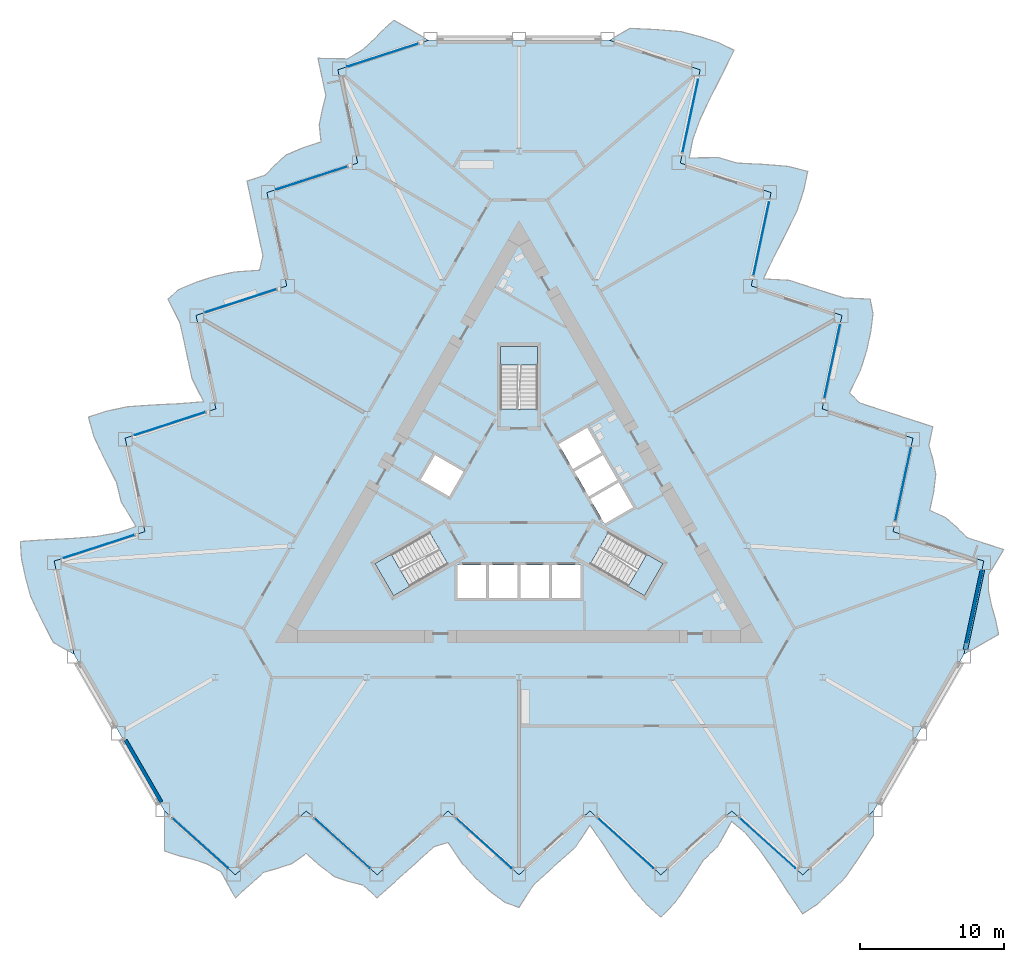
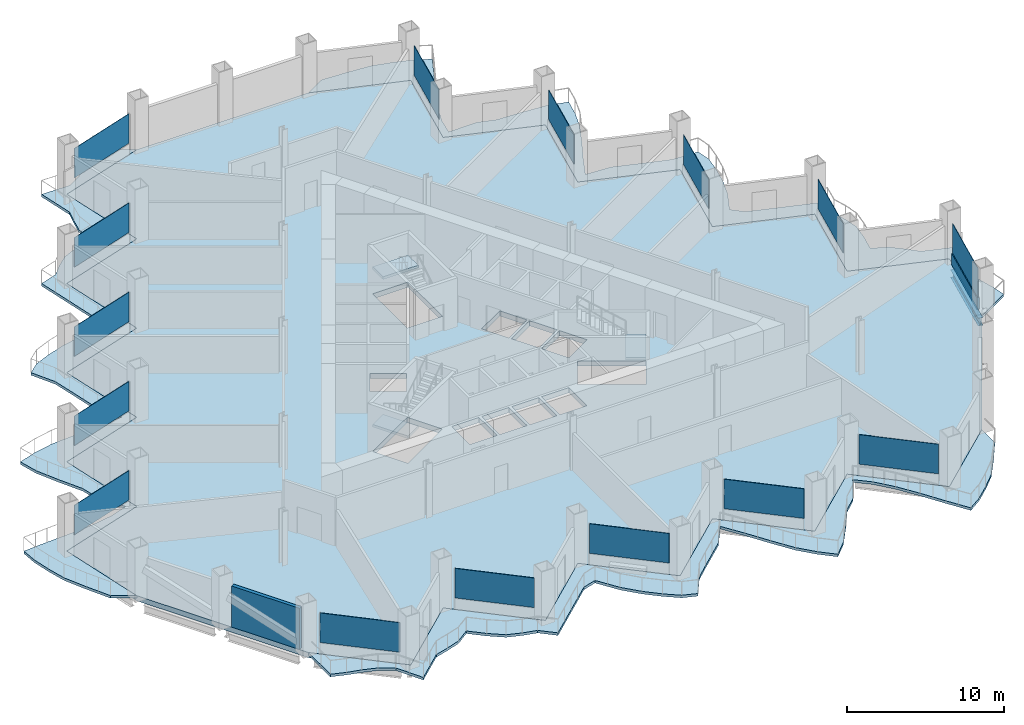
# One storey, part 8 of 21: 15 plates, 7 slabs, 1 beam, 1 member, 1 wall, 18 elements without a shape of their own.
"""IFC4 building model written with IfcOpenShell, lengths in metres."""

from ifc_helpers import new_model, si_unit, direction, frame, frame_2d, origin, origin_2d, place, context, subcontext, project, spatial, polyline, rectangle, i_section, outline, extrude, material, layer, layer_set, material_profile, profile_set, type_object, element, aggregate, save


model = new_model("IFC4")

# Units and contexts
model_context = context("Model", 3, precision=1e-05, world=origin(), true_north=direction((0.0, 1.0)))
body_context = subcontext(model_context, "Body", "Model", "MODEL_VIEW")
ifc_project = project(units=[si_unit("LENGTHUNIT", "METRE"), si_unit("AREAUNIT", "SQUARE_METRE"), si_unit("VOLUMEUNIT", "CUBIC_METRE"), si_unit("PLANEANGLEUNIT", "RADIAN"), si_unit("MASSUNIT", "GRAM", prefix="KILO")], contexts=[model_context])

# Site, building, storey
site_placement = place(None, origin())
site = spatial("IfcSite", under=ifc_project, at=site_placement, CompositionType="ELEMENT")
building_placement = place(site_placement, origin())
building = spatial("IfcBuilding", under=site, at=building_placement, Name="Cormorant Prow Tower", CompositionType="ELEMENT")
storey_placement = place(building_placement, frame((0.0, 0.0, 76.199951171875)))
storey = spatial("IfcBuildingStorey", under=building, at=storey_placement, Name="L16", CompositionType="ELEMENT", Elevation=76.199951171875)

# Curtain wall, member
ifc_material_1 = material(Name="Aluminium 6063-T6", Category="aluminium")
ifc_layer_1 = layer(ifc_material_1, 0.199951171875)
ifc_layer_set_1 = layer_set([ifc_layer_1], Name="Aluminium 6063-T6")
curtain_wall_type = type_object("IfcCurtainWallType", Name="Office unitised curtain wall 200", PredefinedType="NOTDEFINED", material=ifc_layer_set_1)
curtain_wall_1_placement = place(storey_placement, origin())
curtain_wall_1 = element("IfcCurtainWall", 1, at=curtain_wall_1_placement, inside=storey, type_object=curtain_wall_type, Name="Office curtain wall ENE00", PredefinedType="NOTDEFINED")
ifc_material_2 = material(Name="Terracotta", Category="masonry")
ifc_material_profile_1 = material_profile(ifc_material_2, rectangle(XDim=0.159912109375, YDim=0.89990234375, at=origin_2d()), Name="Office terracotta spandrel rail 160x900")
ifc_profile_set_1 = profile_set([ifc_material_profile_1], Name="Terracotta")
member_type = type_object("IfcMemberType", Name="Office terracotta spandrel rail 160x900", PredefinedType="USERDEFINED", material=ifc_profile_set_1)
member_placement = place(storey_placement, frame((31.15869140625, -9.87939453125, 0.449951171875), z_axis=(0.207907213273, 0.978148552455, 0.0), x_axis=(-0.978148552455, 0.207907213273, 0.0)))
member = element("IfcMember", 2, at=member_placement, type_object=member_type, Name="Office spandrel rail ENE00", ObjectType="TRANSOM", PredefinedType="USERDEFINED", context=body_context, shape_type="SweptSolid", body=[
    extrude(rectangle(XDim=0.159912109375, YDim=0.89990234375, at=origin_2d()), origin(), (0.0, 0.0, 1.0), 5.18212890625),
])

# Beam
ifc_material_3 = material(Name="Structural steel ASTM A992 Gr 50", Category="steel")
ifc_material_profile_2 = material_profile(ifc_material_3, i_section(OverallWidth=0.32373046875, OverallDepth=0.611083984375, WebThickness=0.0126953125, FlangeThickness=0.01904296875, at=origin_2d()), Name="W24x104")
ifc_profile_set_2 = profile_set([ifc_material_profile_2], Name="Structural steel ASTM A992 Gr 50")
beam_type = type_object("IfcBeamType", Name="Spandrel beam W24x104", PredefinedType="SPANDREL", material=ifc_profile_set_2)
beam_placement = place(storey_placement, frame((31.10400390625, -10.28466796875, -0.70556640625), z_axis=(0.207900376723, 0.97815000555, 0.0), x_axis=(-0.97815000555, 0.207900376723, 0.0)))
element("IfcBeam", 3, at=beam_placement, inside=storey, type_object=beam_type, Name="Spandrel beam SB1 ENE00-ENE01 L16", PredefinedType="SPANDREL", context=body_context, shape_type="SweptSolid", body=[
    extrude(i_section(OverallWidth=0.32373046875, OverallDepth=0.611083984375, WebThickness=0.0126953125, FlangeThickness=0.01904296875, at=origin_2d()), origin(), (0.0, 0.0, 1.0), 5.6826171875),
])

# Slabs
ifc_material_4 = material(Name="Concrete C40/50", Category="concrete")
ifc_layer_2 = layer(ifc_material_4, 0.199951171875)
ifc_layer_set_2 = layer_set([ifc_layer_2], Name="Concrete C40/50")
slab_type_1 = type_object("IfcSlabType", Name="Balcony slab 200", PredefinedType="FLOOR", material=ifc_layer_set_2)
slab_1_placement = place(storey_placement, frame((0.0, 0.0, -0.199951171875)))
element("IfcSlab", 4, at=slab_1_placement, inside=storey, type_object=slab_type_1, Name="Balcony slab S L16", PredefinedType="FLOOR", context=body_context, shape_type="SweptSolid", body=[
    extrude(outline(polyline([(-24.7021484375, -21.533935546875), (-24.7021484375, -24.31787109375), (-23.714111328125, -24.64892578125), (-22.72607421875, -24.893310546875), (-21.73779296875, -25.222900390625), (-20.749755859375, -25.787109375), (-19.76171875, -27.582275390625), (-18.773681640625, -26.692626953125), (-17.78564453125, -25.802978515625), (-16.79736328125, -25.522705078125), (-15.809326171875, -25.19580078125), (-14.8212890625, -24.48388671875), (-13.833251953125, -25.37353515625), (-12.84521484375, -26.112548828125), (-11.85693359375, -26.449462890625), (-10.868896484375, -26.69384765625), (-9.880859375, -27.582275390625), (-8.892822265625, -26.692626953125), (-7.90478515625, -25.802978515625), (-6.91650390625, -24.913330078125), (-5.928466796875, -24.023681640625), (-4.9404296875, -23.721923828125), (-3.952392578125, -25.179931640625), (-2.96435546875, -26.26318359375), (-1.97607421875, -27.15283203125), (-0.988037109375, -27.906982421875), (0.0, -28.249755859375), (0.988037109375, -26.71533203125), (1.97607421875, -25.802978515625), (2.96435546875, -24.913330078125), (3.952392578125, -24.023681640625), (4.9404296875, -22.511962890625), (5.928466796875, -23.945556640625), (6.91650390625, -25.479736328125), (7.90478515625, -26.943115234375), (8.892822265625, -28.042724609375), (9.880859375, -28.932373046875), (10.868896484375, -27.921875), (11.85693359375, -26.491455078125), (12.84521484375, -24.95751953125), (13.833251953125, -24.023681640625), (14.8212890625, -22.24755859375), (15.809326171875, -23.098876953125), (16.79736328125, -24.276611328125), (17.78564453125, -25.7041015625), (18.773681640625, -27.23779296875), (19.76171875, -28.7060546875), (20.749755859375, -28.042724609375), (21.73779296875, -27.15283203125), (22.72607421875, -26.156982421875), (23.714111328125, -24.73291015625), (24.7021484375, -23.19970703125), (24.7021484375, -21.533935546875), (23.714111328125, -22.423583984375), (22.72607421875, -23.313232421875), (21.73779296875, -24.202880859375), (20.749755859375, -25.092529296875), (19.76171875, -25.982421875), (18.773681640625, -25.092529296875), (17.78564453125, -24.202880859375), (16.79736328125, -23.313232421875), (15.809326171875, -22.423583984375), (14.8212890625, -21.533935546875), (13.833251953125, -22.423583984375), (12.84521484375, -23.313232421875), (11.85693359375, -24.202880859375), (10.868896484375, -25.092529296875), (9.880859375, -25.982421875), (8.892822265625, -25.092529296875), (7.90478515625, -24.202880859375), (6.91650390625, -23.313232421875), (5.928466796875, -22.423583984375), (4.9404296875, -21.533935546875), (3.952392578125, -22.423583984375), (2.96435546875, -23.313232421875), (1.97607421875, -24.202880859375), (0.988037109375, -25.092529296875), (0.0, -25.982421875), (-0.988037109375, -25.092529296875), (-1.97607421875, -24.202880859375), (-2.96435546875, -23.313232421875), (-3.952392578125, -22.423583984375), (-4.9404296875, -21.533935546875), (-5.928466796875, -22.423583984375), (-6.91650390625, -23.313232421875), (-7.90478515625, -24.202880859375), (-8.892822265625, -25.092529296875), (-9.880859375, -25.982421875), (-10.868896484375, -25.092529296875), (-11.85693359375, -24.202880859375), (-12.84521484375, -23.313232421875), (-13.833251953125, -22.423583984375), (-14.8212890625, -21.533935546875), (-15.809326171875, -22.423583984375), (-16.79736328125, -23.313232421875), (-17.78564453125, -24.202880859375), (-18.773681640625, -25.092529296875), (-19.76171875, -25.982421875), (-20.749755859375, -25.092529296875), (-21.73779296875, -24.202880859375), (-22.72607421875, -23.313232421875), (-23.714111328125, -22.423583984375), (-24.7021484375, -21.533935546875)])), origin(), (0.0, 0.0, 1.0), 0.199951171875),
])
slab_2_placement = place(storey_placement, frame((0.0, 0.0, -0.199951171875)))
element("IfcSlab", 5, at=slab_2_placement, inside=storey, type_object=slab_type_1, Name="Balcony slab ENE L16", PredefinedType="FLOOR", context=body_context, shape_type="SweptSolid", body=[
    extrude(outline(polyline([(31.0, -10.625732421875), (33.410888671875, -9.23388671875), (33.20361328125, -8.212646484375), (32.921142578125, -7.234619140625), (32.712646484375, -6.214111328125), (32.707275390625, -5.076416015625), (33.767822265625, -3.322998046875), (32.50341796875, -2.912109375), (31.23876953125, -2.501220703125), (30.501953125, -1.78564453125), (29.724853515625, -1.093505859375), (28.6142578125, -0.59375), (28.890869140625, 0.706787109375), (29.03662109375, 1.93212890625), (28.83447265625, 2.956298828125), (28.552001953125, 3.93408203125), (28.827392578125, 5.234130859375), (27.56298828125, 5.64501953125), (26.29833984375, 6.055908203125), (25.033935546875, 6.466796875), (23.769287109375, 6.87744140625), (23.013916015625, 7.58251953125), (23.782470703125, 9.1669921875), (24.226806640625, 10.564453125), (24.503173828125, 11.864990234375), (24.662353515625, 13.097900390625), (24.465087890625, 14.125), (22.64208984375, 14.21337890625), (21.35791015625, 14.61279296875), (20.093505859375, 15.023681640625), (18.828857421875, 15.4345703125), (17.02587890625, 15.53466796875), (17.773193359375, 17.10693359375), (18.60791015625, 18.72998046875), (19.381103515625, 20.317138671875), (19.839111328125, 21.72265625), (20.11572265625, 23.023193359375), (18.74658203125, 23.373779296875), (17.013671875, 23.51416015625), (15.191162109375, 23.60302734375), (13.888427734375, 23.99169921875), (11.856201171875, 23.95947265625), (12.099609375, 25.24072265625), (12.62548828125, 26.685302734375), (13.36767578125, 28.2548828125), (14.20166015625, 29.877197265625), (14.979248046875, 31.46728515625), (13.91064453125, 31.9912109375), (12.646240234375, 32.402099609375), (11.289794921875, 32.759765625), (9.562255859375, 32.903564453125), (7.740478515625, 32.992431640625), (6.2978515625, 32.15966796875), (7.562255859375, 31.748779296875), (8.826904296875, 31.337890625), (10.09130859375, 30.927001953125), (11.35595703125, 30.51611328125), (12.620361328125, 30.105224609375), (12.343994140625, 28.8046875), (12.067626953125, 27.504150390625), (11.791259765625, 26.20361328125), (11.5146484375, 24.903076171875), (11.23828125, 23.6025390625), (12.502685546875, 23.191650390625), (13.767333984375, 22.78076171875), (15.03173828125, 22.369873046875), (16.29638671875, 21.958984375), (17.560791015625, 21.54833984375), (17.284423828125, 20.247802734375), (17.008056640625, 18.947021484375), (16.731689453125, 17.646484375), (16.455078125, 16.345947265625), (16.1787109375, 15.04541015625), (17.443115234375, 14.634521484375), (18.707763671875, 14.223876953125), (19.97216796875, 13.81298828125), (21.23681640625, 13.402099609375), (22.501220703125, 12.9912109375), (22.224853515625, 11.690673828125), (21.948486328125, 10.39013671875), (21.672119140625, 9.089599609375), (21.3955078125, 7.7890625), (21.119140625, 6.488525390625), (22.383544921875, 6.07763671875), (23.648193359375, 5.666748046875), (24.91259765625, 5.255859375), (26.17724609375, 4.844970703125), (27.441650390625, 4.43408203125), (27.165283203125, 3.133544921875), (26.888916015625, 1.8330078125), (26.612548828125, 0.532470703125), (26.3359375, -0.76806640625), (26.0595703125, -2.068603515625), (27.323974609375, -2.4794921875), (28.588623046875, -2.890380859375), (29.85302734375, -3.30126953125), (31.11767578125, -3.712158203125), (32.382080078125, -4.123046875), (32.105712890625, -5.423583984375), (31.829345703125, -6.72412109375), (31.552978515625, -8.024658203125), (31.2763671875, -9.3251953125), (31.0, -10.625732421875)])), origin(), (0.0, 0.0, 1.0), 0.199951171875),
])
slab_3_placement = place(storey_placement, frame((0.0, 0.0, -0.199951171875)))
element("IfcSlab", 6, at=slab_3_placement, inside=storey, type_object=slab_type_1, Name="Balcony slab WNW L16", PredefinedType="FLOOR", context=body_context, shape_type="SweptSolid", body=[
    extrude(outline(polyline([(-6.2978515625, 32.15966796875), (-8.708740234375, 33.551513671875), (-9.489501953125, 32.861328125), (-10.1953125, 32.1279296875), (-10.974853515625, 31.43701171875), (-11.95751953125, 30.863525390625), (-14.006103515625, 30.9052734375), (-13.729736328125, 29.604736328125), (-13.453125, 28.30419921875), (-13.70458984375, 27.308349609375), (-13.91552734375, 26.289306640625), (-13.79296875, 25.07763671875), (-15.0576171875, 24.666748046875), (-16.191650390625, 24.180419921875), (-16.977294921875, 23.4931640625), (-17.68310546875, 22.759765625), (-18.946533203125, 22.34814453125), (-18.670166015625, 21.047607421875), (-18.3935546875, 19.7470703125), (-18.1171875, 18.446533203125), (-17.8408203125, 17.14599609375), (-18.073486328125, 16.139404296875), (-19.830322265625, 16.0126953125), (-21.262451171875, 15.69873046875), (-22.527099609375, 15.287841796875), (-23.674072265625, 14.809326171875), (-24.465087890625, 14.125), (-23.630126953125, 12.501953125), (-23.333984375, 11.18994140625), (-23.0576171875, 9.889404296875), (-22.78125, 8.5888671875), (-21.96630859375, 6.9775390625), (-23.70166015625, 6.838623046875), (-25.5244140625, 6.75), (-27.28564453125, 6.6259765625), (-28.73193359375, 6.31982421875), (-29.99658203125, 5.9091796875), (-29.615478515625, 4.548095703125), (-28.870849609375, 2.977294921875), (-28.036376953125, 1.3544921875), (-27.7216796875, 0.031982421875), (-26.677490234375, -1.7119140625), (-27.908935546875, -2.141845703125), (-29.4228515625, -2.40869140625), (-31.153076171875, -2.55078125), (-32.975341796875, -2.6396484375), (-34.740966796875, -2.76123046875), (-34.66064453125, -3.948486328125), (-34.384033203125, -5.2490234375), (-34.015625, -6.602783203125), (-33.2763671875, -8.170654296875), (-32.442626953125, -9.79296875), (-31.0, -10.625732421875), (-31.2763671875, -9.3251953125), (-31.552978515625, -8.024658203125), (-31.829345703125, -6.72412109375), (-32.105712890625, -5.423583984375), (-32.382080078125, -4.123046875), (-31.11767578125, -3.712158203125), (-29.85302734375, -3.30126953125), (-28.588623046875, -2.890380859375), (-27.323974609375, -2.4794921875), (-26.0595703125, -2.068603515625), (-26.3359375, -0.76806640625), (-26.612548828125, 0.532470703125), (-26.888916015625, 1.8330078125), (-27.165283203125, 3.133544921875), (-27.441650390625, 4.43408203125), (-26.17724609375, 4.844970703125), (-24.91259765625, 5.255859375), (-23.648193359375, 5.666748046875), (-22.383544921875, 6.07763671875), (-21.119140625, 6.488525390625), (-21.3955078125, 7.7890625), (-21.672119140625, 9.089599609375), (-21.948486328125, 10.39013671875), (-22.224853515625, 11.690673828125), (-22.501220703125, 12.9912109375), (-21.23681640625, 13.402099609375), (-19.97216796875, 13.81298828125), (-18.707763671875, 14.223876953125), (-17.443115234375, 14.634521484375), (-16.1787109375, 15.04541015625), (-16.455078125, 16.345947265625), (-16.731689453125, 17.646484375), (-17.008056640625, 18.947021484375), (-17.284423828125, 20.247802734375), (-17.560791015625, 21.54833984375), (-16.29638671875, 21.958984375), (-15.03173828125, 22.369873046875), (-13.767333984375, 22.78076171875), (-12.502685546875, 23.191650390625), (-11.23828125, 23.6025390625), (-11.5146484375, 24.903076171875), (-11.791259765625, 26.20361328125), (-12.067626953125, 27.504150390625), (-12.343994140625, 28.8046875), (-12.620361328125, 30.105224609375), (-11.35595703125, 30.51611328125), (-10.09130859375, 30.927001953125), (-8.826904296875, 31.337890625), (-7.562255859375, 31.748779296875), (-6.2978515625, 32.15966796875)])), origin(), (0.0, 0.0, 1.0), 0.199951171875),
])

# Curtain wall, plate
curtain_wall_2_placement = place(storey_placement, origin())
curtain_wall_2 = element("IfcCurtainWall", 7, at=curtain_wall_2_placement, inside=storey, type_object=curtain_wall_type, Name="Office curtain wall S00", PredefinedType="NOTDEFINED")
ifc_material_5 = material(Name="Clear glass", Category="glass")
ifc_layer_3 = layer(ifc_material_5, 0.031982421875)
ifc_layer_set_3 = layer_set([ifc_layer_3], Name="Clear glass")
plate_type = type_object("IfcPlateType", Name="Office glass panel 32", PredefinedType="CURTAIN_PANEL", material=ifc_layer_set_3)
plate_1_placement = place(storey_placement, frame((-22.209716796875, -23.778076171875, 0.89990234375), z_axis=(0.0, 0.0, 1.0), x_axis=(0.743144814546, -0.669130618499, 0.0)))
plate_1 = element("IfcPlate", 8, at=plate_1_placement, type_object=plate_type, Name="Office glass panel S00", PredefinedType="CURTAIN_PANEL", context=body_context, shape_type="SweptSolid", body=[
    extrude(rectangle(XDim=5.18212890625, YDim=0.031982421875, at=origin_2d()), origin(), (0.0, 0.0, 1.0), 2.288818359375),
])
aggregate(curtain_wall_2, [plate_1])

curtain_wall_3_placement = place(storey_placement, origin())
curtain_wall_3 = element("IfcCurtainWall", 9, at=curtain_wall_3_placement, inside=storey, type_object=curtain_wall_type, Name="Office curtain wall S02", PredefinedType="NOTDEFINED")
plate_2_placement = place(storey_placement, frame((-12.328857421875, -23.778076171875, 0.89990234375), z_axis=(0.0, 0.0, 1.0), x_axis=(0.743144814546, -0.669130618499, 0.0)))
plate_2 = element("IfcPlate", 10, at=plate_2_placement, type_object=plate_type, Name="Office glass panel S02", PredefinedType="CURTAIN_PANEL", context=body_context, shape_type="SweptSolid", body=[
    extrude(rectangle(XDim=5.18212890625, YDim=0.031982421875, at=origin_2d()), origin(), (0.0, 0.0, 1.0), 2.288818359375),
])
aggregate(curtain_wall_3, [plate_2])

curtain_wall_4_placement = place(storey_placement, origin())
curtain_wall_4 = element("IfcCurtainWall", 11, at=curtain_wall_4_placement, inside=storey, type_object=curtain_wall_type, Name="Office curtain wall S04", PredefinedType="NOTDEFINED")
plate_3_placement = place(storey_placement, frame((-2.447998046875, -23.778076171875, 0.89990234375), z_axis=(0.0, 0.0, 1.0), x_axis=(0.743144814546, -0.669130618499, 0.0)))
plate_3 = element("IfcPlate", 12, at=plate_3_placement, type_object=plate_type, Name="Office glass panel S04", PredefinedType="CURTAIN_PANEL", context=body_context, shape_type="SweptSolid", body=[
    extrude(rectangle(XDim=5.18212890625, YDim=0.031982421875, at=origin_2d()), origin(), (0.0, 0.0, 1.0), 2.288818359375),
])
aggregate(curtain_wall_4, [plate_3])

curtain_wall_5_placement = place(storey_placement, origin())
curtain_wall_5 = element("IfcCurtainWall", 13, at=curtain_wall_5_placement, inside=storey, type_object=curtain_wall_type, Name="Office curtain wall S06", PredefinedType="NOTDEFINED")
plate_4_placement = place(storey_placement, frame((7.432861328125, -23.778076171875, 0.89990234375), z_axis=(0.0, 0.0, 1.0), x_axis=(0.743144881885, -0.669130543712, 0.0)))
plate_4 = element("IfcPlate", 14, at=plate_4_placement, type_object=plate_type, Name="Office glass panel S06", PredefinedType="CURTAIN_PANEL", context=body_context, shape_type="SweptSolid", body=[
    extrude(rectangle(XDim=5.18212890625, YDim=0.031982421875, at=origin_2d()), origin(), (0.0, 0.0, 1.0), 2.288818359375),
])
aggregate(curtain_wall_5, [plate_4])

curtain_wall_6_placement = place(storey_placement, origin())
curtain_wall_6 = element("IfcCurtainWall", 15, at=curtain_wall_6_placement, inside=storey, type_object=curtain_wall_type, Name="Office curtain wall S08", PredefinedType="NOTDEFINED")
plate_5_placement = place(storey_placement, frame((17.313720703125, -23.778076171875, 0.89990234375), z_axis=(0.0, 0.0, 1.0), x_axis=(0.743144881885, -0.669130543712, 0.0)))
plate_5 = element("IfcPlate", 16, at=plate_5_placement, type_object=plate_type, Name="Office glass panel S08", PredefinedType="CURTAIN_PANEL", context=body_context, shape_type="SweptSolid", body=[
    extrude(rectangle(XDim=5.18212890625, YDim=0.031982421875, at=origin_2d()), origin(), (0.0, 0.0, 1.0), 2.288818359375),
])
aggregate(curtain_wall_6, [plate_5])

# Plate
plate_6_placement = place(storey_placement, frame((31.697265625, -7.344970703125, 0.89990234375), z_axis=(0.0, 0.0, 1.0), x_axis=(0.207911722401, 0.978147594021, 0.0)))
plate_6 = element("IfcPlate", 17, at=plate_6_placement, type_object=plate_type, Name="Office glass panel ENE00", PredefinedType="CURTAIN_PANEL", context=body_context, shape_type="SweptSolid", body=[
    extrude(rectangle(XDim=5.18212890625, YDim=0.031982421875, at=origin_2d()), origin(), (0.0, 0.0, 1.0), 2.288818359375),
])

aggregate(curtain_wall_1, [member, plate_6])

# Curtain wall, plate
curtain_wall_7_placement = place(storey_placement, origin())
curtain_wall_7 = element("IfcCurtainWall", 18, at=curtain_wall_7_placement, inside=storey, type_object=curtain_wall_type, Name="Office curtain wall ENE02", PredefinedType="NOTDEFINED")
plate_7_placement = place(storey_placement, frame((26.7568359375, 1.212158203125, 0.89990234375), z_axis=(0.0, 0.0, 1.0), x_axis=(0.207911578485, 0.978147624611, 0.0)))
plate_7 = element("IfcPlate", 19, at=plate_7_placement, type_object=plate_type, Name="Office glass panel ENE02", PredefinedType="CURTAIN_PANEL", context=body_context, shape_type="SweptSolid", body=[
    extrude(rectangle(XDim=5.18212890625, YDim=0.031982421875, at=origin_2d()), origin(), (0.0, 0.0, 1.0), 2.288818359375),
])
aggregate(curtain_wall_7, [plate_7])

curtain_wall_8_placement = place(storey_placement, origin())
curtain_wall_8 = element("IfcCurtainWall", 20, at=curtain_wall_8_placement, inside=storey, type_object=curtain_wall_type, Name="Office curtain wall ENE04", PredefinedType="NOTDEFINED")
plate_8_placement = place(storey_placement, frame((21.81640625, 9.76904296875, 0.89990234375), z_axis=(0.0, 0.0, 1.0), x_axis=(0.207911722401, 0.978147594021, 0.0)))
plate_8 = element("IfcPlate", 21, at=plate_8_placement, type_object=plate_type, Name="Office glass panel ENE04", PredefinedType="CURTAIN_PANEL", context=body_context, shape_type="SweptSolid", body=[
    extrude(rectangle(XDim=5.18212890625, YDim=0.031982421875, at=origin_2d()), origin(), (0.0, 0.0, 1.0), 2.288818359375),
])
aggregate(curtain_wall_8, [plate_8])

curtain_wall_9_placement = place(storey_placement, origin())
curtain_wall_9 = element("IfcCurtainWall", 22, at=curtain_wall_9_placement, inside=storey, type_object=curtain_wall_type, Name="Office curtain wall ENE06", PredefinedType="NOTDEFINED")
plate_9_placement = place(storey_placement, frame((16.8759765625, 18.326171875, 0.89990234375), z_axis=(0.0, 0.0, 1.0), x_axis=(0.207911722401, 0.978147594021, 0.0)))
plate_9 = element("IfcPlate", 23, at=plate_9_placement, type_object=plate_type, Name="Office glass panel ENE06", PredefinedType="CURTAIN_PANEL", context=body_context, shape_type="SweptSolid", body=[
    extrude(rectangle(XDim=5.18212890625, YDim=0.031982421875, at=origin_2d()), origin(), (0.0, 0.0, 1.0), 2.288818359375),
])
aggregate(curtain_wall_9, [plate_9])

curtain_wall_10_placement = place(storey_placement, origin())
curtain_wall_10 = element("IfcCurtainWall", 24, at=curtain_wall_10_placement, inside=storey, type_object=curtain_wall_type, Name="Office curtain wall ENE08", PredefinedType="NOTDEFINED")
plate_10_placement = place(storey_placement, frame((11.935546875, 26.88330078125, 0.89990234375), z_axis=(0.0, 0.0, 1.0), x_axis=(0.207911722401, 0.978147594021, 0.0)))
plate_10 = element("IfcPlate", 25, at=plate_10_placement, type_object=plate_type, Name="Office glass panel ENE08", PredefinedType="CURTAIN_PANEL", context=body_context, shape_type="SweptSolid", body=[
    extrude(rectangle(XDim=5.18212890625, YDim=0.031982421875, at=origin_2d()), origin(), (0.0, 0.0, 1.0), 2.288818359375),
])
aggregate(curtain_wall_10, [plate_10])

curtain_wall_11_placement = place(storey_placement, origin())
curtain_wall_11 = element("IfcCurtainWall", 26, at=curtain_wall_11_placement, inside=storey, type_object=curtain_wall_type, Name="Office curtain wall WNW00", PredefinedType="NOTDEFINED")
plate_11_placement = place(storey_placement, frame((-9.48779296875, 31.123291015625, 0.89990234375), z_axis=(0.0, 0.0, 1.0), x_axis=(-0.951056501658, -0.309017039425, 0.0)))
plate_11 = element("IfcPlate", 27, at=plate_11_placement, type_object=plate_type, Name="Office glass panel WNW00", PredefinedType="CURTAIN_PANEL", context=body_context, shape_type="SweptSolid", body=[
    extrude(rectangle(XDim=5.18212890625, YDim=0.031982421875, at=origin_2d()), origin(), (0.0, 0.0, 1.0), 2.288818359375),
])
aggregate(curtain_wall_11, [plate_11])

curtain_wall_12_placement = place(storey_placement, origin())
curtain_wall_12 = element("IfcCurtainWall", 28, at=curtain_wall_12_placement, inside=storey, type_object=curtain_wall_type, Name="Office curtain wall WNW02", PredefinedType="NOTDEFINED")
plate_12_placement = place(storey_placement, frame((-14.42822265625, 22.566162109375, 0.89990234375), z_axis=(0.0, 0.0, 1.0), x_axis=(-0.951056560224, -0.309016859176, 0.0)))
plate_12 = element("IfcPlate", 29, at=plate_12_placement, type_object=plate_type, Name="Office glass panel WNW02", PredefinedType="CURTAIN_PANEL", context=body_context, shape_type="SweptSolid", body=[
    extrude(rectangle(XDim=5.18212890625, YDim=0.031982421875, at=origin_2d()), origin(), (0.0, 0.0, 1.0), 2.288818359375),
])
aggregate(curtain_wall_12, [plate_12])

curtain_wall_13_placement = place(storey_placement, origin())
curtain_wall_13 = element("IfcCurtainWall", 30, at=curtain_wall_13_placement, inside=storey, type_object=curtain_wall_type, Name="Office curtain wall WNW04", PredefinedType="NOTDEFINED")
plate_13_placement = place(storey_placement, frame((-19.36865234375, 14.009033203125, 0.89990234375), z_axis=(0.0, 0.0, 1.0), x_axis=(-0.951056501658, -0.309017039425, 0.0)))
plate_13 = element("IfcPlate", 31, at=plate_13_placement, type_object=plate_type, Name="Office glass panel WNW04", PredefinedType="CURTAIN_PANEL", context=body_context, shape_type="SweptSolid", body=[
    extrude(rectangle(XDim=5.18212890625, YDim=0.031982421875, at=origin_2d()), origin(), (0.0, 0.0, 1.0), 2.288818359375),
])
aggregate(curtain_wall_13, [plate_13])

curtain_wall_14_placement = place(storey_placement, origin())
curtain_wall_14 = element("IfcCurtainWall", 32, at=curtain_wall_14_placement, inside=storey, type_object=curtain_wall_type, Name="Office curtain wall WNW06", PredefinedType="NOTDEFINED")
plate_14_placement = place(storey_placement, frame((-24.30908203125, 5.451904296875, 0.89990234375), z_axis=(0.0, 0.0, 1.0), x_axis=(-0.951056501658, -0.309017039425, 0.0)))
plate_14 = element("IfcPlate", 33, at=plate_14_placement, type_object=plate_type, Name="Office glass panel WNW06", PredefinedType="CURTAIN_PANEL", context=body_context, shape_type="SweptSolid", body=[
    extrude(rectangle(XDim=5.18212890625, YDim=0.031982421875, at=origin_2d()), origin(), (0.0, 0.0, 1.0), 2.288818359375),
])
aggregate(curtain_wall_14, [plate_14])

curtain_wall_15_placement = place(storey_placement, origin())
curtain_wall_15 = element("IfcCurtainWall", 34, at=curtain_wall_15_placement, inside=storey, type_object=curtain_wall_type, Name="Office curtain wall WNW08", PredefinedType="NOTDEFINED")
plate_15_placement = place(storey_placement, frame((-29.24951171875, -3.105224609375, 0.89990234375), z_axis=(0.0, 0.0, 1.0), x_axis=(-0.951056545862, -0.309016903379, 0.0)))
plate_15 = element("IfcPlate", 35, at=plate_15_placement, type_object=plate_type, Name="Office glass panel WNW08", PredefinedType="CURTAIN_PANEL", context=body_context, shape_type="SweptSolid", body=[
    extrude(rectangle(XDim=5.18212890625, YDim=0.031982421875, at=origin_2d()), origin(), (0.0, 0.0, 1.0), 2.288818359375),
])
aggregate(curtain_wall_15, [plate_15])

# Slab
ifc_material_6 = material(Name="Concrete C40/50", Category="concrete")
ifc_layer_4 = layer(ifc_material_6, 0.39990234375)
ifc_layer_set_4 = layer_set([ifc_layer_4], Name="Concrete C40/50")
slab_type_2 = type_object("IfcSlabType", Name="Post-tensioned flat slab 400", PredefinedType="FLOOR", material=ifc_layer_set_4)
slab_4_placement = place(storey_placement, frame((0.0, 0.0, -0.39990234375)))
element("IfcSlab", 36, at=slab_4_placement, inside=storey, type_object=slab_type_2, Name="Floor slab L16", PredefinedType="FLOOR", context=body_context, shape_type="SweptSolid", body=[
    extrude(outline(polyline([(-12.620361328125, 30.105224609375), (-11.23828125, 23.6025390625), (-17.560791015625, 21.54833984375), (-16.1787109375, 15.04541015625), (-22.501220703125, 12.9912109375), (-21.119140625, 6.488525390625), (-27.441650390625, 4.43408203125), (-26.0595703125, -2.068603515625), (-32.382080078125, -4.123046875), (-31.0, -10.625732421875), (-27.85107421875, -16.079833984375), (-24.7021484375, -21.533935546875), (-19.76171875, -25.982421875), (-14.8212890625, -21.533935546875), (-9.880859375, -25.982421875), (-4.9404296875, -21.533935546875), (0.0, -25.982421875), (4.9404296875, -21.533935546875), (9.880859375, -25.982421875), (14.8212890625, -21.533935546875), (19.76171875, -25.982421875), (24.7021484375, -21.533935546875), (27.85107421875, -16.079833984375), (31.0, -10.625732421875), (32.382080078125, -4.123046875), (26.0595703125, -2.068603515625), (27.441650390625, 4.43408203125), (21.119140625, 6.488525390625), (22.501220703125, 12.9912109375), (16.1787109375, 15.04541015625), (17.560791015625, 21.54833984375), (11.23828125, 23.6025390625), (12.620361328125, 30.105224609375), (6.2978515625, 32.15966796875), (0.0, 32.15966796875), (-6.2978515625, 32.15966796875), (-12.620361328125, 30.105224609375)]), holes=[polyline([(-4.300048828125, -6.699951171875), (-4.300048828125, -4.39990234375), (-2.300048828125, -4.39990234375), (-2.300048828125, -6.699951171875), (-4.300048828125, -6.699951171875)]), polyline([(-2.10009765625, -4.39990234375), (-0.10009765625, -4.39990234375), (-0.10009765625, -6.699951171875), (-2.10009765625, -6.699951171875), (-2.10009765625, -4.39990234375)]), polyline([(2.10009765625, -4.39990234375), (2.10009765625, -6.699951171875), (0.10009765625, -6.699951171875), (0.10009765625, -4.39990234375), (2.10009765625, -4.39990234375)]), polyline([(4.300048828125, -6.699951171875), (2.300048828125, -6.699951171875), (2.300048828125, -4.39990234375), (4.300048828125, -4.39990234375), (4.300048828125, -6.699951171875)]), polyline([(7.952392578125, -0.373779296875), (5.96044921875, -1.52392578125), (4.96044921875, 0.2080078125), (6.952392578125, 1.358154296875), (7.952392578125, -0.373779296875)]), polyline([(4.860595703125, 0.38134765625), (3.860595703125, 2.11328125), (5.852294921875, 3.263427734375), (6.852294921875, 1.53125), (4.860595703125, 0.38134765625)]), polyline([(2.760498046875, 4.018798828125), (4.75244140625, 5.168701171875), (5.75244140625, 3.4365234375), (3.760498046875, 2.28662109375), (2.760498046875, 4.018798828125)]), polyline([(-6.852294921875, 1.53125), (-5.852294921875, 3.263427734375), (-3.860595703125, 2.11328125), (-4.860595703125, 0.38134765625), (-6.852294921875, 1.53125)]), polyline([(-4.947509765625, -4.3505859375), (-8.738037109375, -6.5390625), (-10.031982421875, -4.2978515625), (-6.241455078125, -2.109375), (-4.947509765625, -4.3505859375)]), polyline([(10.031982421875, -4.2978515625), (8.738037109375, -6.5390625), (4.947509765625, -4.3505859375), (6.241455078125, -2.109375), (10.031982421875, -4.2978515625)]), polyline([(1.2939453125, 10.8369140625), (1.2939453125, 6.459716796875), (-1.2939453125, 6.459716796875), (-1.2939453125, 10.8369140625), (1.2939453125, 10.8369140625)])]), origin(), (0.0, 0.0, 1.0), 0.39990234375),
])

# Stair, slab
ifc_material_7 = material(Name="Exit stair 24 risers")
stair_type = type_object("IfcStairType", Name="Exit stair 24 risers", PredefinedType="HALF_TURN_STAIR", material=ifc_material_7)
stair_1_placement = place(storey_placement, origin())
stair_1 = element("IfcStair", 37, at=stair_1_placement, inside=storey, type_object=stair_type, Name="L16 Exit stair ST1", PredefinedType="HALF_TURN_STAIR")
ifc_material_8 = material(Name="Concrete 5000 psi", Category="concrete")
ifc_layer_5 = layer(ifc_material_8, 0.199951171875)
ifc_layer_set_5 = layer_set([ifc_layer_5], Name="Concrete 5000 psi")
slab_type_3 = type_object("IfcSlabType", Name="Stair landing 200", PredefinedType="LANDING", material=ifc_layer_set_5)
slab_5_placement = place(storey_placement, frame((0.0, 0.0, 1.900146484375)))
slab_5 = element("IfcSlab", 38, at=slab_5_placement, type_object=slab_type_3, Name="ST1 landing 1", PredefinedType="LANDING", context=body_context, shape_type="SweptSolid", body=[
    extrude(outline(polyline([(-8.90185546875, -3.645263671875), (-10.031982421875, -4.2978515625), (-8.738037109375, -6.5390625), (-7.60791015625, -5.886474609375), (-8.90185546875, -3.645263671875)])), origin(), (0.0, 0.0, 1.0), 0.199951171875),
])
aggregate(stair_1, [slab_5])

stair_2_placement = place(storey_placement, origin())
stair_2 = element("IfcStair", 39, at=stair_2_placement, inside=storey, type_object=stair_type, Name="L16 Exit stair ST2", PredefinedType="HALF_TURN_STAIR")
slab_6_placement = place(storey_placement, frame((0.0, 0.0, 1.900146484375)))
slab_6 = element("IfcSlab", 40, at=slab_6_placement, type_object=slab_type_3, Name="ST2 landing 1", PredefinedType="LANDING", context=body_context, shape_type="SweptSolid", body=[
    extrude(outline(polyline([(7.60791015625, -5.886474609375), (8.738037109375, -6.5390625), (10.031982421875, -4.2978515625), (8.90185546875, -3.645263671875), (7.60791015625, -5.886474609375)])), origin(), (0.0, 0.0, 1.0), 0.199951171875),
])
aggregate(stair_2, [slab_6])

stair_3_placement = place(storey_placement, origin())
stair_3 = element("IfcStair", 41, at=stair_3_placement, inside=storey, type_object=stair_type, Name="L16 Exit stair ST3", PredefinedType="HALF_TURN_STAIR")
slab_7_placement = place(storey_placement, frame((0.0, 0.0, 1.900146484375)))
slab_7 = element("IfcSlab", 42, at=slab_7_placement, type_object=slab_type_3, Name="ST3 landing 1", PredefinedType="LANDING", context=body_context, shape_type="SweptSolid", body=[
    extrude(outline(polyline([(1.2939453125, 9.53173828125), (1.2939453125, 10.8369140625), (-1.2939453125, 10.8369140625), (-1.2939453125, 9.53173828125), (1.2939453125, 9.53173828125)])), origin(), (0.0, 0.0, 1.0), 0.199951171875),
])
aggregate(stair_3, [slab_7])

# Wall
ifc_material_9 = material(Name="Terracotta", Category="masonry")
ifc_layer_6 = layer(ifc_material_9, 0.25)
ifc_layer_set_6 = layer_set([ifc_layer_6], Name="Terracotta")
wall_type = type_object("IfcWallType", Name="Terracotta bay wall 250", PredefinedType="SOLIDWALL", material=ifc_layer_set_6)
wall_placement = place(storey_placement, frame((-27.4111328125, -16.591796875, 0.0), z_axis=(0.0, 0.0, 1.0), x_axis=(0.499978178329, -0.866038002165, 0.0)))
element("IfcWall", 43, at=wall_placement, inside=storey, type_object=wall_type, Name="Terracotta bay wall WSW01", PredefinedType="SOLIDWALL", context=body_context, shape_type="SweptSolid", body=[
    extrude(rectangle(XDim=4.986083984375, YDim=0.25, at=frame_2d((2.4931640625, 0.0))), origin(), (0.0, 0.0, 1.0), 3.18896484375),
])

save(model, "model.ifc")
